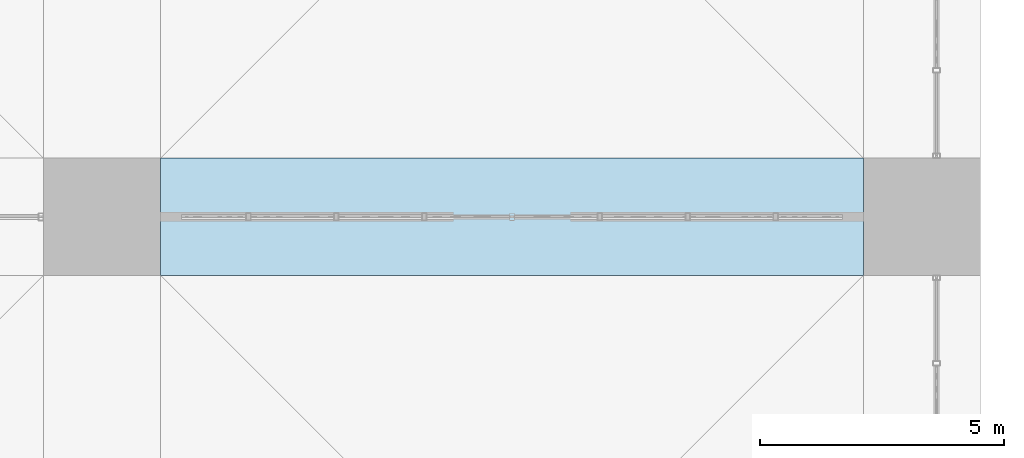
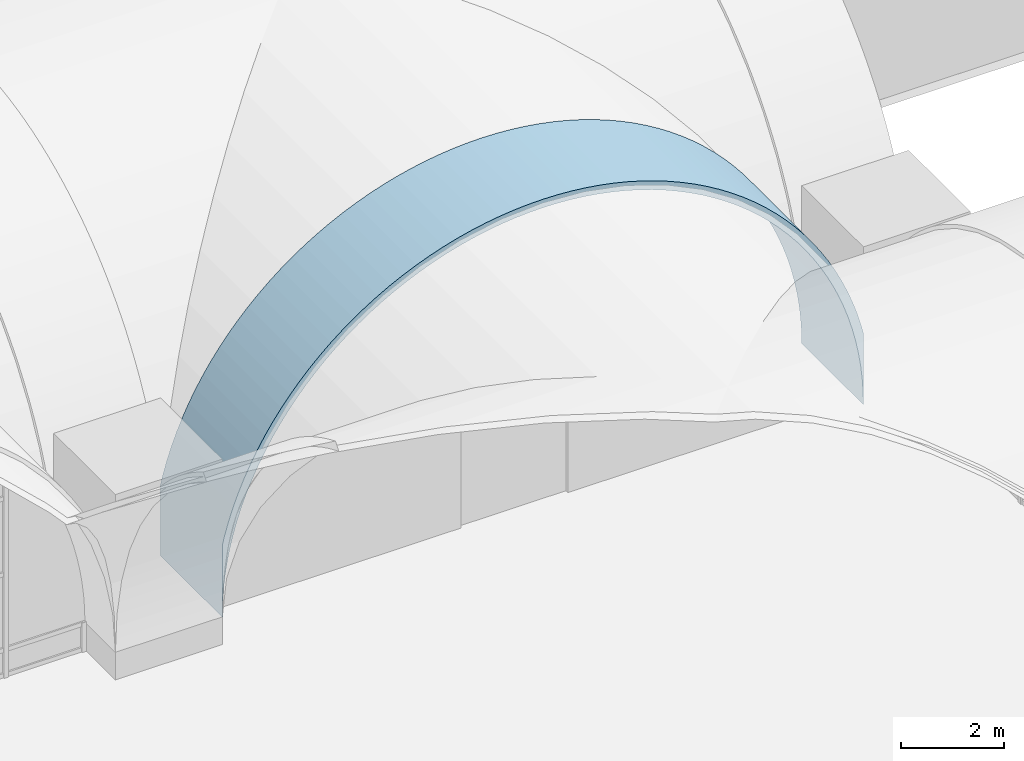
# One storey, part 142 of 169: 1 roof.
"""IFC4 building model written with IfcOpenShell, lengths in metres."""

from ifc_helpers import new_model, si_unit, direction, frame, origin, place, context, subcontext, project, spatial, polygons, material, layer, layer_set, type_object, element, save


model = new_model("IFC4")

# Units and contexts
model_context = context("Model", 3, precision=1e-05, world=origin(), true_north=direction((0.0, 1.0)))
body_context = subcontext(model_context, "Body", "Model", "MODEL_VIEW")
ifc_project = project(units=[si_unit("LENGTHUNIT", "METRE"), si_unit("AREAUNIT", "SQUARE_METRE"), si_unit("VOLUMEUNIT", "CUBIC_METRE"), si_unit("PLANEANGLEUNIT", "RADIAN"), si_unit("MASSUNIT", "GRAM", prefix="KILO")], contexts=[model_context])

# Site, building, storey
site_placement = place(None, origin())
site = spatial("IfcSite", under=ifc_project, at=site_placement, CompositionType="ELEMENT")
building_placement = place(site_placement, origin())
building = spatial("IfcBuilding", under=site, at=building_placement, Name="Verrick Yard Athletic Hall", CompositionType="ELEMENT")
storey_placement = place(building_placement, frame((0.0, 0.0, 4.39990234375)))
storey = spatial("IfcBuildingStorey", under=building, at=storey_placement, Name="L01", CompositionType="ELEMENT", Elevation=4.39990234375)

# Roof
ifc_material = material(Name="Concrete 35 MPa", Category="concrete")
ifc_layer = layer(ifc_material, 0.199951171875)
ifc_layer_set = layer_set([ifc_layer], Name="Arch rib 200")
roof_type = type_object("IfcRoofType", Name="Arch rib 200", PredefinedType="BARREL_ROOF", material=ifc_layer_set)
roof_placement = place(storey_placement, origin())
element("IfcRoof", 1, at=roof_placement, inside=storey, type_object=roof_type, Name="Vault rib M7", PredefinedType="BARREL_ROOF", context=body_context, shape_type="Tessellation", body=[
    polygons([(142.0, 34.800048828125, 2.352294921875), (142.0, 34.800048828125, 0.650146484375), (142.0068359375, 34.800048828125, 0.964111328125), (142.02734375, 34.800048828125, 1.277587890625), (142.0615234375, 34.800048828125, 1.58984375), (142.109375, 34.800048828125, 1.900390625), (142.170654296875, 34.800048828125, 2.20849609375), (142.245361328125, 34.800048828125, 2.513671875), (142.333251953125, 34.800048828125, 2.815185546875), (142.43408203125, 34.800048828125, 3.112548828125), (142.548095703125, 34.800048828125, 3.405517578125), (142.674560546875, 34.800048828125, 3.693115234375), (142.8134765625, 34.800048828125, 3.974609375), (142.964599609375, 34.800048828125, 4.25), (143.127685546875, 34.800048828125, 4.518798828125), (143.302001953125, 34.800048828125, 4.77978515625), (143.48779296875, 34.800048828125, 5.033203125), (143.6845703125, 34.800048828125, 5.278076171875), (143.8916015625, 34.800048828125, 5.514404296875), (144.10888671875, 34.800048828125, 5.7412109375), (144.335693359375, 34.800048828125, 5.95849609375), (144.572021484375, 34.800048828125, 6.16552734375), (144.81689453125, 34.800048828125, 6.3623046875), (145.0703125, 34.800048828125, 6.548095703125), (145.331298828125, 34.800048828125, 6.722412109375), (145.60009765625, 34.800048828125, 6.885498046875), (145.87548828125, 34.800048828125, 7.03662109375), (146.156982421875, 34.800048828125, 7.175537109375), (146.444580078125, 34.800048828125, 7.302001953125), (146.737548828125, 34.800048828125, 7.416015625), (147.034912109375, 34.800048828125, 7.516845703125), (147.33642578125, 34.800048828125, 7.604736328125), (147.6416015625, 34.800048828125, 7.679443359375), (147.94970703125, 34.800048828125, 7.74072265625), (148.26025390625, 34.800048828125, 7.78857421875), (148.572509765625, 34.800048828125, 7.82275390625), (148.885986328125, 34.800048828125, 7.84326171875), (149.199951171875, 34.800048828125, 7.85009765625), (149.51416015625, 34.800048828125, 7.84326171875), (149.827392578125, 34.800048828125, 7.82275390625), (150.139892578125, 34.800048828125, 7.78857421875), (150.4501953125, 34.800048828125, 7.74072265625), (150.75830078125, 34.800048828125, 7.679443359375), (151.0634765625, 34.800048828125, 7.604736328125), (151.364990234375, 34.800048828125, 7.516845703125), (151.66259765625, 34.800048828125, 7.416015625), (151.955322265625, 34.800048828125, 7.302001953125), (152.242919921875, 34.800048828125, 7.175537109375), (152.524658203125, 34.800048828125, 7.03662109375), (152.800048828125, 34.800048828125, 6.885498046875), (153.068603515625, 34.800048828125, 6.722412109375), (153.329833984375, 34.800048828125, 6.548095703125), (153.5830078125, 34.800048828125, 6.3623046875), (153.828125, 34.800048828125, 6.16552734375), (154.064208984375, 34.800048828125, 5.95849609375), (154.291259765625, 34.800048828125, 5.7412109375), (154.50830078125, 34.800048828125, 5.514404296875), (154.715576171875, 34.800048828125, 5.278076171875), (154.912109375, 34.800048828125, 5.033203125), (155.097900390625, 34.800048828125, 4.77978515625), (155.2724609375, 34.800048828125, 4.518798828125), (155.435302734375, 34.800048828125, 4.25), (155.58642578125, 34.800048828125, 3.974609375), (155.725341796875, 34.800048828125, 3.693115234375), (155.851806640625, 34.800048828125, 3.405517578125), (155.9658203125, 34.800048828125, 3.112548828125), (156.06689453125, 34.800048828125, 2.815185546875), (156.15478515625, 34.800048828125, 2.513671875), (156.229248046875, 34.800048828125, 2.20849609375), (156.29052734375, 34.800048828125, 1.900390625), (156.33837890625, 34.800048828125, 1.58984375), (156.37255859375, 34.800048828125, 1.277587890625), (156.39306640625, 34.800048828125, 0.964111328125), (156.39990234375, 34.800048828125, 0.650146484375), (156.39990234375, 34.800048828125, 2.352294921875), (156.347900390625, 34.800048828125, 2.5654296875), (156.257568359375, 34.800048828125, 2.875244140625), (156.15380859375, 34.800048828125, 3.180908203125), (156.03662109375, 34.800048828125, 3.48193359375), (155.90673828125, 34.800048828125, 3.777587890625), (155.763916015625, 34.800048828125, 4.06689453125), (155.608642578125, 34.800048828125, 4.35009765625), (155.441162109375, 34.800048828125, 4.6259765625), (155.26171875, 34.800048828125, 4.89453125), (155.07080078125, 34.800048828125, 5.15478515625), (154.86865234375, 34.800048828125, 5.40673828125), (154.656005859375, 34.800048828125, 5.6494140625), (154.4326171875, 34.800048828125, 5.8828125), (154.199462890625, 34.800048828125, 6.10595703125), (153.95654296875, 34.800048828125, 6.31884765625), (153.704833984375, 34.800048828125, 6.52099609375), (153.444580078125, 34.800048828125, 6.7119140625), (153.176025390625, 34.800048828125, 6.89111328125), (152.89990234375, 34.800048828125, 7.05859375), (152.616943359375, 34.800048828125, 7.214111328125), (152.327392578125, 34.800048828125, 7.356689453125), (152.031982421875, 34.800048828125, 7.48681640625), (151.73095703125, 34.800048828125, 7.603759765625), (151.42529296875, 34.800048828125, 7.70751953125), (151.115234375, 34.800048828125, 7.798095703125), (150.8017578125, 34.800048828125, 7.874755859375), (150.485107421875, 34.800048828125, 7.937744140625), (150.166015625, 34.800048828125, 7.98681640625), (149.844970703125, 34.800048828125, 8.02197265625), (149.522705078125, 34.800048828125, 8.043212890625), (149.199951171875, 34.800048828125, 8.050048828125), (148.877197265625, 34.800048828125, 8.043212890625), (148.554931640625, 34.800048828125, 8.02197265625), (148.234130859375, 34.800048828125, 7.98681640625), (147.9150390625, 34.800048828125, 7.937744140625), (147.598388671875, 34.800048828125, 7.874755859375), (147.28466796875, 34.800048828125, 7.798095703125), (146.974853515625, 34.800048828125, 7.70751953125), (146.669189453125, 34.800048828125, 7.603759765625), (146.3681640625, 34.800048828125, 7.48681640625), (146.072509765625, 34.800048828125, 7.356689453125), (145.783203125, 34.800048828125, 7.214111328125), (145.5, 34.800048828125, 7.05859375), (145.22412109375, 34.800048828125, 6.89111328125), (144.95556640625, 34.800048828125, 6.7119140625), (144.6953125, 34.800048828125, 6.52099609375), (144.443359375, 34.800048828125, 6.31884765625), (144.20068359375, 34.800048828125, 6.10595703125), (143.96728515625, 34.800048828125, 5.8828125), (143.744140625, 34.800048828125, 5.6494140625), (143.53125, 34.800048828125, 5.40673828125), (143.3291015625, 34.800048828125, 5.15478515625), (143.13818359375, 34.800048828125, 4.89453125), (142.958984375, 34.800048828125, 4.6259765625), (142.79150390625, 34.800048828125, 4.35009765625), (142.635986328125, 34.800048828125, 4.06689453125), (142.493408203125, 34.800048828125, 3.777587890625), (142.36328125, 34.800048828125, 3.48193359375), (142.246337890625, 34.800048828125, 3.180908203125), (142.142578125, 34.800048828125, 2.875244140625), (142.052001953125, 34.800048828125, 2.5654296875), (142.0, 37.199951171875, 2.352294921875), (142.0, 37.199951171875, 0.650146484375), (142.0068359375, 37.199951171875, 0.964111328125), (142.02734375, 37.199951171875, 1.277587890625), (142.0615234375, 37.199951171875, 1.58984375), (142.109375, 37.199951171875, 1.900390625), (142.170654296875, 37.199951171875, 2.20849609375), (142.245361328125, 37.199951171875, 2.513671875), (142.333251953125, 37.199951171875, 2.815185546875), (142.43408203125, 37.199951171875, 3.112548828125), (142.548095703125, 37.199951171875, 3.405517578125), (142.674560546875, 37.199951171875, 3.693115234375), (142.8134765625, 37.199951171875, 3.974609375), (142.964599609375, 37.199951171875, 4.25), (143.127685546875, 37.199951171875, 4.518798828125), (143.302001953125, 37.199951171875, 4.77978515625), (143.48779296875, 37.199951171875, 5.033203125), (143.6845703125, 37.199951171875, 5.278076171875), (143.8916015625, 37.199951171875, 5.514404296875), (144.10888671875, 37.199951171875, 5.7412109375), (144.335693359375, 37.199951171875, 5.95849609375), (144.572021484375, 37.199951171875, 6.16552734375), (144.81689453125, 37.199951171875, 6.3623046875), (145.0703125, 37.199951171875, 6.548095703125), (145.331298828125, 37.199951171875, 6.722412109375), (145.60009765625, 37.199951171875, 6.885498046875), (145.87548828125, 37.199951171875, 7.03662109375), (146.156982421875, 37.199951171875, 7.175537109375), (146.444580078125, 37.199951171875, 7.302001953125), (146.737548828125, 37.199951171875, 7.416015625), (147.034912109375, 37.199951171875, 7.516845703125), (147.33642578125, 37.199951171875, 7.604736328125), (147.6416015625, 37.199951171875, 7.679443359375), (147.94970703125, 37.199951171875, 7.74072265625), (148.26025390625, 37.199951171875, 7.78857421875), (148.572509765625, 37.199951171875, 7.82275390625), (148.885986328125, 37.199951171875, 7.84326171875), (149.199951171875, 37.199951171875, 7.85009765625), (149.51416015625, 37.199951171875, 7.84326171875), (149.827392578125, 37.199951171875, 7.82275390625), (150.139892578125, 37.199951171875, 7.78857421875), (150.4501953125, 37.199951171875, 7.74072265625), (150.75830078125, 37.199951171875, 7.679443359375), (151.0634765625, 37.199951171875, 7.604736328125), (151.364990234375, 37.199951171875, 7.516845703125), (151.66259765625, 37.199951171875, 7.416015625), (151.955322265625, 37.199951171875, 7.302001953125), (152.242919921875, 37.199951171875, 7.175537109375), (152.524658203125, 37.199951171875, 7.03662109375), (152.800048828125, 37.199951171875, 6.885498046875), (153.068603515625, 37.199951171875, 6.722412109375), (153.329833984375, 37.199951171875, 6.548095703125), (153.5830078125, 37.199951171875, 6.3623046875), (153.828125, 37.199951171875, 6.16552734375), (154.064208984375, 37.199951171875, 5.95849609375), (154.291259765625, 37.199951171875, 5.7412109375), (154.50830078125, 37.199951171875, 5.514404296875), (154.715576171875, 37.199951171875, 5.278076171875), (154.912109375, 37.199951171875, 5.033203125), (155.097900390625, 37.199951171875, 4.77978515625), (155.2724609375, 37.199951171875, 4.518798828125), (155.435302734375, 37.199951171875, 4.25), (155.58642578125, 37.199951171875, 3.974609375), (155.725341796875, 37.199951171875, 3.693115234375), (155.851806640625, 37.199951171875, 3.405517578125), (155.9658203125, 37.199951171875, 3.112548828125), (156.06689453125, 37.199951171875, 2.815185546875), (156.15478515625, 37.199951171875, 2.513671875), (156.229248046875, 37.199951171875, 2.20849609375), (156.29052734375, 37.199951171875, 1.900390625), (156.33837890625, 37.199951171875, 1.58984375), (156.37255859375, 37.199951171875, 1.277587890625), (156.39306640625, 37.199951171875, 0.964111328125), (156.39990234375, 37.199951171875, 0.650146484375), (156.39990234375, 37.199951171875, 2.352294921875), (156.347900390625, 37.199951171875, 2.5654296875), (156.257568359375, 37.199951171875, 2.875244140625), (156.15380859375, 37.199951171875, 3.180908203125), (156.03662109375, 37.199951171875, 3.48193359375), (155.90673828125, 37.199951171875, 3.777587890625), (155.763916015625, 37.199951171875, 4.06689453125), (155.608642578125, 37.199951171875, 4.35009765625), (155.441162109375, 37.199951171875, 4.6259765625), (155.26171875, 37.199951171875, 4.89453125), (155.07080078125, 37.199951171875, 5.15478515625), (154.86865234375, 37.199951171875, 5.40673828125), (154.656005859375, 37.199951171875, 5.6494140625), (154.4326171875, 37.199951171875, 5.8828125), (154.199462890625, 37.199951171875, 6.10595703125), (153.95654296875, 37.199951171875, 6.31884765625), (153.704833984375, 37.199951171875, 6.52099609375), (153.444580078125, 37.199951171875, 6.7119140625), (153.176025390625, 37.199951171875, 6.89111328125), (152.89990234375, 37.199951171875, 7.05859375), (152.616943359375, 37.199951171875, 7.214111328125), (152.327392578125, 37.199951171875, 7.356689453125), (152.031982421875, 37.199951171875, 7.48681640625), (151.73095703125, 37.199951171875, 7.603759765625), (151.42529296875, 37.199951171875, 7.70751953125), (151.115234375, 37.199951171875, 7.798095703125), (150.8017578125, 37.199951171875, 7.874755859375), (150.485107421875, 37.199951171875, 7.937744140625), (150.166015625, 37.199951171875, 7.98681640625), (149.844970703125, 37.199951171875, 8.02197265625), (149.522705078125, 37.199951171875, 8.043212890625), (149.199951171875, 37.199951171875, 8.050048828125), (148.877197265625, 37.199951171875, 8.043212890625), (148.554931640625, 37.199951171875, 8.02197265625), (148.234130859375, 37.199951171875, 7.98681640625), (147.9150390625, 37.199951171875, 7.937744140625), (147.598388671875, 37.199951171875, 7.874755859375), (147.28466796875, 37.199951171875, 7.798095703125), (146.974853515625, 37.199951171875, 7.70751953125), (146.669189453125, 37.199951171875, 7.603759765625), (146.3681640625, 37.199951171875, 7.48681640625), (146.072509765625, 37.199951171875, 7.356689453125), (145.783203125, 37.199951171875, 7.214111328125), (145.5, 37.199951171875, 7.05859375), (145.22412109375, 37.199951171875, 6.89111328125), (144.95556640625, 37.199951171875, 6.7119140625), (144.6953125, 37.199951171875, 6.52099609375), (144.443359375, 37.199951171875, 6.31884765625), (144.20068359375, 37.199951171875, 6.10595703125), (143.96728515625, 37.199951171875, 5.8828125), (143.744140625, 37.199951171875, 5.6494140625), (143.53125, 37.199951171875, 5.40673828125), (143.3291015625, 37.199951171875, 5.15478515625), (143.13818359375, 37.199951171875, 4.89453125), (142.958984375, 37.199951171875, 4.6259765625), (142.79150390625, 37.199951171875, 4.35009765625), (142.635986328125, 37.199951171875, 4.06689453125), (142.493408203125, 37.199951171875, 3.777587890625), (142.36328125, 37.199951171875, 3.48193359375), (142.246337890625, 37.199951171875, 3.180908203125), (142.142578125, 37.199951171875, 2.875244140625), (142.052001953125, 37.199951171875, 2.5654296875)], [[[1, 2, 3]], [[137, 139, 138]], [[136, 1, 3]], [[272, 139, 137]], [[136, 3, 4]], [[272, 140, 139]], [[136, 4, 5]], [[272, 141, 140]], [[136, 5, 6]], [[272, 142, 141]], [[136, 6, 7]], [[272, 143, 142]], [[136, 7, 8]], [[272, 144, 143]], [[136, 8, 9]], [[272, 145, 144]], [[136, 9, 10]], [[272, 146, 145]], [[136, 10, 11]], [[272, 147, 146]], [[136, 11, 12]], [[272, 148, 147]], [[136, 12, 13]], [[272, 149, 148]], [[73, 74, 75]], [[209, 211, 210]], [[72, 73, 75]], [[208, 211, 209]], [[71, 72, 75]], [[207, 211, 208]], [[70, 71, 75]], [[206, 211, 207]], [[69, 70, 75]], [[205, 211, 206]], [[68, 69, 75]], [[204, 211, 205]], [[67, 68, 75]], [[203, 211, 204]], [[66, 67, 75]], [[202, 211, 203]], [[65, 66, 75]], [[201, 211, 202]], [[64, 65, 75]], [[200, 211, 201]], [[63, 64, 75]], [[199, 211, 200]], [[63, 75, 76]], [[199, 212, 211]], [[63, 76, 77]], [[199, 213, 212]], [[62, 63, 77]], [[198, 213, 199]], [[62, 77, 78]], [[198, 214, 213]], [[61, 62, 78]], [[197, 214, 198]], [[61, 78, 79]], [[197, 215, 214]], [[60, 61, 79]], [[196, 215, 197]], [[60, 79, 80]], [[196, 216, 215]], [[59, 60, 80]], [[195, 216, 196]], [[59, 80, 81]], [[195, 217, 216]], [[58, 59, 81]], [[194, 217, 195]], [[58, 81, 82]], [[194, 218, 217]], [[57, 58, 82]], [[193, 218, 194]], [[57, 82, 83]], [[193, 219, 218]], [[56, 57, 83]], [[192, 219, 193]], [[56, 83, 84]], [[192, 220, 219]], [[55, 56, 84]], [[191, 220, 192]], [[55, 84, 85]], [[191, 221, 220]], [[54, 55, 85]], [[190, 221, 191]], [[54, 85, 86]], [[190, 222, 221]], [[53, 54, 86]], [[189, 222, 190]], [[53, 86, 87]], [[189, 223, 222]], [[52, 53, 87]], [[188, 223, 189]], [[52, 87, 88]], [[188, 224, 223]], [[51, 52, 88]], [[187, 224, 188]], [[51, 88, 89]], [[187, 225, 224]], [[50, 51, 89]], [[186, 225, 187]], [[50, 89, 90]], [[186, 226, 225]], [[49, 50, 90]], [[185, 226, 186]], [[49, 90, 91]], [[185, 227, 226]], [[48, 49, 91]], [[184, 227, 185]], [[48, 91, 92]], [[184, 228, 227]], [[47, 48, 92]], [[183, 228, 184]], [[47, 92, 93]], [[183, 229, 228]], [[46, 47, 93]], [[182, 229, 183]], [[46, 93, 94]], [[182, 230, 229]], [[45, 46, 94]], [[181, 230, 182]], [[45, 94, 95]], [[181, 231, 230]], [[44, 45, 95]], [[180, 231, 181]], [[44, 95, 96]], [[180, 232, 231]], [[43, 44, 96]], [[179, 232, 180]], [[43, 96, 97]], [[179, 233, 232]], [[42, 43, 97]], [[178, 233, 179]], [[42, 97, 98]], [[178, 234, 233]], [[41, 42, 98]], [[177, 234, 178]], [[41, 98, 99]], [[177, 235, 234]], [[40, 41, 99]], [[176, 235, 177]], [[40, 99, 100]], [[176, 236, 235]], [[39, 40, 100]], [[175, 236, 176]], [[39, 100, 101]], [[175, 237, 236]], [[38, 39, 101]], [[174, 237, 175]], [[38, 101, 102]], [[174, 238, 237]], [[37, 38, 102]], [[173, 238, 174]], [[37, 102, 103]], [[173, 239, 238]], [[36, 37, 103]], [[172, 239, 173]], [[36, 103, 104]], [[172, 240, 239]], [[35, 36, 104]], [[171, 240, 172]], [[35, 104, 105]], [[171, 241, 240]], [[34, 35, 105]], [[170, 241, 171]], [[34, 105, 106]], [[170, 242, 241]], [[33, 34, 106]], [[169, 242, 170]], [[33, 106, 107]], [[169, 243, 242]], [[32, 33, 107]], [[168, 243, 169]], [[32, 107, 108]], [[168, 244, 243]], [[31, 32, 108]], [[167, 244, 168]], [[31, 108, 109]], [[167, 245, 244]], [[30, 31, 109]], [[166, 245, 167]], [[30, 109, 110]], [[166, 246, 245]], [[29, 30, 110]], [[165, 246, 166]], [[29, 110, 111]], [[165, 247, 246]], [[28, 29, 111]], [[164, 247, 165]], [[28, 111, 112]], [[164, 248, 247]], [[27, 28, 112]], [[163, 248, 164]], [[27, 112, 113]], [[163, 249, 248]], [[26, 27, 113]], [[162, 249, 163]], [[26, 113, 114]], [[162, 250, 249]], [[25, 26, 114]], [[161, 250, 162]], [[25, 114, 115]], [[161, 251, 250]], [[24, 25, 115]], [[160, 251, 161]], [[24, 115, 116]], [[160, 252, 251]], [[23, 24, 116]], [[159, 252, 160]], [[23, 116, 117]], [[159, 253, 252]], [[22, 23, 117]], [[158, 253, 159]], [[22, 117, 118]], [[158, 254, 253]], [[21, 22, 118]], [[157, 254, 158]], [[21, 118, 119]], [[157, 255, 254]], [[20, 21, 119]], [[156, 255, 157]], [[20, 119, 120]], [[156, 256, 255]], [[19, 20, 120]], [[155, 256, 156]], [[19, 120, 121]], [[155, 257, 256]], [[18, 19, 121]], [[154, 257, 155]], [[18, 121, 122]], [[154, 258, 257]], [[17, 18, 122]], [[153, 258, 154]], [[17, 122, 123]], [[153, 259, 258]], [[16, 17, 123]], [[152, 259, 153]], [[16, 123, 124]], [[152, 260, 259]], [[15, 16, 124]], [[151, 260, 152]], [[15, 124, 125]], [[151, 261, 260]], [[14, 15, 125]], [[150, 261, 151]], [[14, 125, 126]], [[150, 262, 261]], [[13, 14, 126]], [[149, 262, 150]], [[136, 13, 126]], [[272, 262, 149]], [[136, 126, 127]], [[272, 263, 262]], [[136, 127, 128]], [[272, 264, 263]], [[136, 128, 129]], [[272, 265, 264]], [[136, 129, 130]], [[272, 266, 265]], [[136, 130, 131]], [[272, 267, 266]], [[136, 131, 132]], [[272, 268, 267]], [[136, 132, 133]], [[272, 269, 268]], [[136, 133, 134]], [[272, 270, 269]], [[134, 135, 136]], [[270, 272, 271]], [[1, 138, 2]], [[1, 137, 138]], [[2, 139, 3]], [[2, 138, 139]], [[3, 140, 4]], [[3, 139, 140]], [[4, 141, 5]], [[4, 140, 141]], [[5, 142, 6]], [[5, 141, 142]], [[6, 143, 7]], [[6, 142, 143]], [[7, 144, 8]], [[7, 143, 144]], [[8, 145, 9]], [[8, 144, 145]], [[9, 146, 10]], [[9, 145, 146]], [[10, 147, 11]], [[10, 146, 147]], [[11, 148, 12]], [[11, 147, 148]], [[12, 149, 13]], [[12, 148, 149]], [[13, 150, 14]], [[13, 149, 150]], [[14, 151, 15]], [[14, 150, 151]], [[15, 152, 16]], [[15, 151, 152]], [[16, 153, 17]], [[16, 152, 153]], [[17, 154, 18]], [[17, 153, 154]], [[18, 155, 19]], [[18, 154, 155]], [[19, 156, 20]], [[19, 155, 156]], [[20, 157, 21]], [[20, 156, 157]], [[21, 158, 22]], [[21, 157, 158]], [[22, 159, 23]], [[22, 158, 159]], [[23, 160, 24]], [[23, 159, 160]], [[24, 161, 25]], [[24, 160, 161]], [[25, 162, 26]], [[25, 161, 162]], [[26, 163, 27]], [[26, 162, 163]], [[27, 164, 28]], [[27, 163, 164]], [[28, 165, 29]], [[28, 164, 165]], [[29, 166, 30]], [[29, 165, 166]], [[30, 167, 31]], [[30, 166, 167]], [[31, 168, 32]], [[31, 167, 168]], [[32, 169, 33]], [[32, 168, 169]], [[33, 170, 34]], [[33, 169, 170]], [[34, 171, 35]], [[34, 170, 171]], [[35, 172, 36]], [[35, 171, 172]], [[36, 173, 37]], [[36, 172, 173]], [[37, 174, 38]], [[37, 173, 174]], [[38, 175, 39]], [[38, 174, 175]], [[39, 176, 40]], [[39, 175, 176]], [[40, 177, 41]], [[40, 176, 177]], [[41, 178, 42]], [[41, 177, 178]], [[42, 179, 43]], [[42, 178, 179]], [[43, 180, 44]], [[43, 179, 180]], [[44, 181, 45]], [[44, 180, 181]], [[45, 182, 46]], [[45, 181, 182]], [[46, 183, 47]], [[46, 182, 183]], [[47, 184, 48]], [[47, 183, 184]], [[48, 185, 49]], [[48, 184, 185]], [[49, 186, 50]], [[49, 185, 186]], [[50, 187, 51]], [[50, 186, 187]], [[51, 188, 52]], [[51, 187, 188]], [[52, 189, 53]], [[52, 188, 189]], [[53, 190, 54]], [[53, 189, 190]], [[54, 191, 55]], [[54, 190, 191]], [[55, 192, 56]], [[55, 191, 192]], [[56, 193, 57]], [[56, 192, 193]], [[57, 194, 58]], [[57, 193, 194]], [[58, 195, 59]], [[58, 194, 195]], [[59, 196, 60]], [[59, 195, 196]], [[60, 197, 61]], [[60, 196, 197]], [[61, 198, 62]], [[61, 197, 198]], [[62, 199, 63]], [[62, 198, 199]], [[63, 200, 64]], [[63, 199, 200]], [[64, 201, 65]], [[64, 200, 201]], [[65, 202, 66]], [[65, 201, 202]], [[66, 203, 67]], [[66, 202, 203]], [[67, 204, 68]], [[67, 203, 204]], [[68, 205, 69]], [[68, 204, 205]], [[69, 206, 70]], [[69, 205, 206]], [[70, 207, 71]], [[70, 206, 207]], [[71, 208, 72]], [[71, 207, 208]], [[72, 209, 73]], [[72, 208, 209]], [[73, 210, 74]], [[73, 209, 210]], [[74, 211, 75]], [[74, 210, 211]], [[75, 212, 76]], [[75, 211, 212]], [[76, 213, 77]], [[76, 212, 213]], [[77, 214, 78]], [[77, 213, 214]], [[78, 215, 79]], [[78, 214, 215]], [[79, 216, 80]], [[79, 215, 216]], [[80, 217, 81]], [[80, 216, 217]], [[81, 218, 82]], [[81, 217, 218]], [[82, 219, 83]], [[82, 218, 219]], [[83, 220, 84]], [[83, 219, 220]], [[84, 221, 85]], [[84, 220, 221]], [[85, 222, 86]], [[85, 221, 222]], [[86, 223, 87]], [[86, 222, 223]], [[87, 224, 88]], [[87, 223, 224]], [[88, 225, 89]], [[88, 224, 225]], [[89, 226, 90]], [[89, 225, 226]], [[90, 227, 91]], [[90, 226, 227]], [[91, 228, 92]], [[91, 227, 228]], [[92, 229, 93]], [[92, 228, 229]], [[93, 230, 94]], [[93, 229, 230]], [[94, 231, 95]], [[94, 230, 231]], [[95, 232, 96]], [[95, 231, 232]], [[96, 233, 97]], [[96, 232, 233]], [[97, 234, 98]], [[97, 233, 234]], [[98, 235, 99]], [[98, 234, 235]], [[99, 236, 100]], [[99, 235, 236]], [[100, 237, 101]], [[100, 236, 237]], [[101, 238, 102]], [[101, 237, 238]], [[102, 239, 103]], [[102, 238, 239]], [[103, 240, 104]], [[103, 239, 240]], [[104, 241, 105]], [[104, 240, 241]], [[105, 242, 106]], [[105, 241, 242]], [[106, 243, 107]], [[106, 242, 243]], [[107, 244, 108]], [[107, 243, 244]], [[108, 245, 109]], [[108, 244, 245]], [[109, 246, 110]], [[109, 245, 246]], [[110, 247, 111]], [[110, 246, 247]], [[111, 248, 112]], [[111, 247, 248]], [[112, 249, 113]], [[112, 248, 249]], [[113, 250, 114]], [[113, 249, 250]], [[114, 251, 115]], [[114, 250, 251]], [[115, 252, 116]], [[115, 251, 252]], [[116, 253, 117]], [[116, 252, 253]], [[117, 254, 118]], [[117, 253, 254]], [[118, 255, 119]], [[118, 254, 255]], [[119, 256, 120]], [[119, 255, 256]], [[120, 257, 121]], [[120, 256, 257]], [[121, 258, 122]], [[121, 257, 258]], [[122, 259, 123]], [[122, 258, 259]], [[123, 260, 124]], [[123, 259, 260]], [[124, 261, 125]], [[124, 260, 261]], [[125, 262, 126]], [[125, 261, 262]], [[126, 263, 127]], [[126, 262, 263]], [[127, 264, 128]], [[127, 263, 264]], [[128, 265, 129]], [[128, 264, 265]], [[129, 266, 130]], [[129, 265, 266]], [[130, 267, 131]], [[130, 266, 267]], [[131, 268, 132]], [[131, 267, 268]], [[132, 269, 133]], [[132, 268, 269]], [[133, 270, 134]], [[133, 269, 270]], [[134, 271, 135]], [[134, 270, 271]], [[135, 272, 136]], [[135, 271, 272]], [[136, 137, 1]], [[136, 272, 137]]], closed=True),
])

save(model, "model.ifc")
